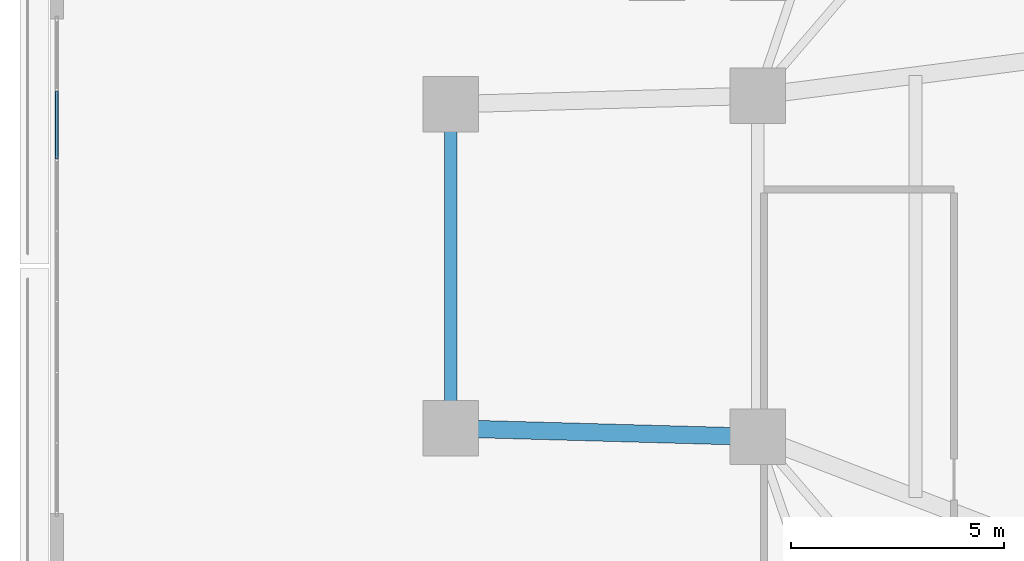
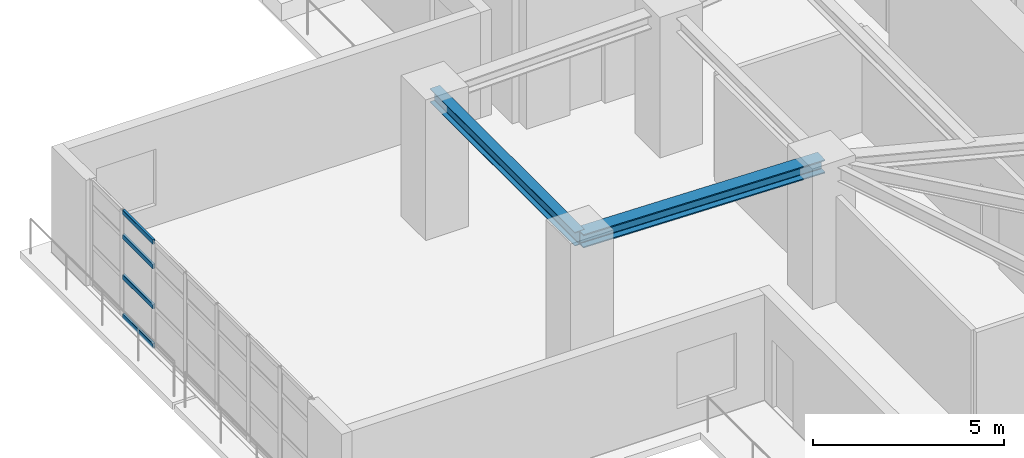
# One storey, part 8 of 24: 4 members, 2 beams, 1 element without a shape of its own.
"""IFC4 building model written with IfcOpenShell, lengths in metres."""

from ifc_helpers import new_model, si_unit, direction, frame, origin, origin_2d, place, context, subcontext, project, spatial, hollow_rectangle, i_section, extrude, material, layer, layer_set, material_profile, profile_set, type_object, element, aggregate, save


model = new_model("IFC4")

# Units and contexts
model_context = context("Model", 3, precision=1e-05, world=origin(), true_north=direction((0.0, 1.0)))
body_context = subcontext(model_context, "Body", "Model", "MODEL_VIEW")
ifc_project = project(units=[si_unit("LENGTHUNIT", "METRE"), si_unit("AREAUNIT", "SQUARE_METRE"), si_unit("VOLUMEUNIT", "CUBIC_METRE"), si_unit("PLANEANGLEUNIT", "RADIAN"), si_unit("MASSUNIT", "GRAM", prefix="KILO")], contexts=[model_context])

# Site, building, storey
site_placement = place(None, origin())
site = spatial("IfcSite", under=ifc_project, at=site_placement, CompositionType="ELEMENT")
building_placement = place(site_placement, origin())
building = spatial("IfcBuilding", under=site, at=building_placement, Name="Qingluan Cross Belvedere", CompositionType="ELEMENT")
storey_placement = place(building_placement, frame((0.0, 0.0, 19.199951171875)))
storey = spatial("IfcBuildingStorey", under=building, at=storey_placement, Name="L05", CompositionType="ELEMENT", Elevation=19.199951171875)

# Curtain wall, members
ifc_material_1 = material(Name="Thermally broken aluminium and Low-E glass", Category="aluminium")
ifc_layer = layer(ifc_material_1, 0.179931640625, Name="UnitisedCW_CascadeGarden")
ifc_layer_set = layer_set([ifc_layer], Name="Thermally broken aluminium and Low-E glass")
curtain_wall_type = type_object("IfcCurtainWallType", Name="UnitisedCW_CascadeGarden", PredefinedType="USERDEFINED", material=ifc_layer_set)
curtain_wall_placement = place(storey_placement, origin())
curtain_wall = element("IfcCurtainWall", 1, at=curtain_wall_placement, inside=storey, type_object=curtain_wall_type, Name="UnitisedCW_CascadeGarden run env:cw:L05:W", ObjectType="UNITISED CURTAIN WALL", PredefinedType="USERDEFINED")
ifc_material_2 = material(Name="Aluminium alloy 6063-T6", Category="aluminium")
ifc_material_profile_1 = material_profile(ifc_material_2, hollow_rectangle(XDim=0.074951171875, YDim=0.14990234375, WallThickness=0.00390625, InnerFilletRadius=0.00390625, OuterFilletRadius=0.008056640625, at=origin_2d()), Name="CWT150x75x4")
ifc_profile_set_1 = profile_set([ifc_material_profile_1], Name="Aluminium alloy 6063-T6")
member_type = type_object("IfcMemberType", Name="CWTransom_150", PredefinedType="USERDEFINED", material=ifc_profile_set_1)
member_1_placement = place(storey_placement, frame((-36.239990234375, 2.515625, 0.030029296875), z_axis=(0.0, 1.0, 0.0), x_axis=(-1.0, 0.0, 0.0)))
member_1 = element("IfcMember", 2, at=member_1_placement, type_object=member_type, Name="CW-P3 transom 6.1", ObjectType="TRANSOM", PredefinedType="USERDEFINED", context=body_context, shape_type="SweptSolid", body=[
    extrude(hollow_rectangle(XDim=0.074951171875, YDim=0.14990234375, WallThickness=0.00390625, InnerFilletRadius=0.00390625, OuterFilletRadius=0.008056640625, at=origin_2d()), origin(), (0.0, 0.0, 1.0), 1.59716796875),
])
member_2_placement = place(storey_placement, frame((-36.239990234375, 2.515625, 1.283935546875), z_axis=(0.0, 1.0, 0.0), x_axis=(-1.0, 0.0, 0.0)))
member_2 = element("IfcMember", 3, at=member_2_placement, type_object=member_type, Name="CW-P3 transom 6.2", ObjectType="TRANSOM", PredefinedType="USERDEFINED", context=body_context, shape_type="SweptSolid", body=[
    extrude(hollow_rectangle(XDim=0.074951171875, YDim=0.14990234375, WallThickness=0.00390625, InnerFilletRadius=0.00390625, OuterFilletRadius=0.008056640625, at=origin_2d()), origin(), (0.0, 0.0, 1.0), 1.59716796875),
])
member_3_placement = place(storey_placement, frame((-36.239990234375, 2.515625, 2.569091796875), z_axis=(0.0, 1.0, 0.0), x_axis=(-1.0, 0.0, 0.0)))
member_3 = element("IfcMember", 4, at=member_3_placement, type_object=member_type, Name="CW-P3 transom 6.3", ObjectType="TRANSOM", PredefinedType="USERDEFINED", context=body_context, shape_type="SweptSolid", body=[
    extrude(hollow_rectangle(XDim=0.074951171875, YDim=0.14990234375, WallThickness=0.00390625, InnerFilletRadius=0.00390625, OuterFilletRadius=0.008056640625, at=origin_2d()), origin(), (0.0, 0.0, 1.0), 1.59716796875),
])
member_4_placement = place(storey_placement, frame((-36.239990234375, 2.515625, 3.35009765625), z_axis=(0.0, 1.0, 0.0), x_axis=(-1.0, 0.0, 0.0)))
member_4 = element("IfcMember", 5, at=member_4_placement, type_object=member_type, Name="CW-P3 transom 6.4", ObjectType="TRANSOM", PredefinedType="USERDEFINED", context=body_context, shape_type="SweptSolid", body=[
    extrude(hollow_rectangle(XDim=0.074951171875, YDim=0.14990234375, WallThickness=0.00390625, InnerFilletRadius=0.00390625, OuterFilletRadius=0.008056640625, at=origin_2d()), origin(), (0.0, 0.0, 1.0), 1.59716796875),
])
aggregate(curtain_wall, [member_1, member_2, member_3, member_4])

# Beams
ifc_material_3 = material(Name="Steel Q420GJB", Category="steel")
ifc_material_profile_2 = material_profile(ifc_material_3, i_section(OverallWidth=0.300048828125, OverallDepth=0.43994140625, WebThickness=0.010986328125, FlangeThickness=0.01806640625, FilletRadius=0.02001953125, at=origin_2d()), Name="HM440x300x11x18")
ifc_profile_set_2 = profile_set([ifc_material_profile_2], Name="Steel Q420GJB")
beam_type_1 = type_object("IfcBeamType", Name="Steel_Beam_HM440x300x11x18", PredefinedType="BEAM", material=ifc_profile_set_2)
beam_1_placement = place(storey_placement, frame((-27.0, -3.800048828125, 4.080078125), z_axis=(0.0, 1.0, 0.0), x_axis=(-1.0, 0.0, 0.0)))
element("IfcBeam", 6, at=beam_1_placement, inside=storey, type_object=beam_type_1, Name="Arm W tip transverse beam L05", PredefinedType="BEAM", context=body_context, shape_type="SweptSolid", body=[
    extrude(i_section(OverallWidth=0.300048828125, OverallDepth=0.43994140625, WebThickness=0.010986328125, FlangeThickness=0.01806640625, FilletRadius=0.02001953125, at=origin_2d()), origin(), (0.0, 0.0, 1.0), 7.60009765625),
])
ifc_material_4 = material(Name="Steel Q420GJB", Category="steel")
ifc_material_profile_3 = material_profile(ifc_material_4, i_section(OverallWidth=0.406982421875, OverallDepth=0.427978515625, WebThickness=0.02001953125, FlangeThickness=0.034912109375, FilletRadius=0.02197265625, at=origin_2d()), Name="HW428x407x20x35")
ifc_profile_set_3 = profile_set([ifc_material_profile_3], Name="Steel Q420GJB")
beam_type_2 = type_object("IfcBeamType", Name="Steel_Girder_HW428x407x20x35", PredefinedType="USERDEFINED", material=ifc_profile_set_3)
beam_2_placement = place(storey_placement, frame((-19.800048828125, -4.0, 4.0859375), z_axis=(-0.999614603568, 0.027760481514, 0.0), x_axis=(-0.027760481514, -0.999614603568, 0.0)))
element("IfcBeam", 7, at=beam_2_placement, inside=storey, type_object=beam_type_2, Name="Arm W outer radial girder A L05", ObjectType="GIRDER", PredefinedType="USERDEFINED", context=body_context, shape_type="SweptSolid", body=[
    extrude(i_section(OverallWidth=0.406982421875, OverallDepth=0.427978515625, WebThickness=0.02001953125, FlangeThickness=0.034912109375, FilletRadius=0.02197265625, at=origin_2d()), origin(), (0.0, 0.0, 1.0), 7.20263671875),
])

save(model, "model.ifc")
